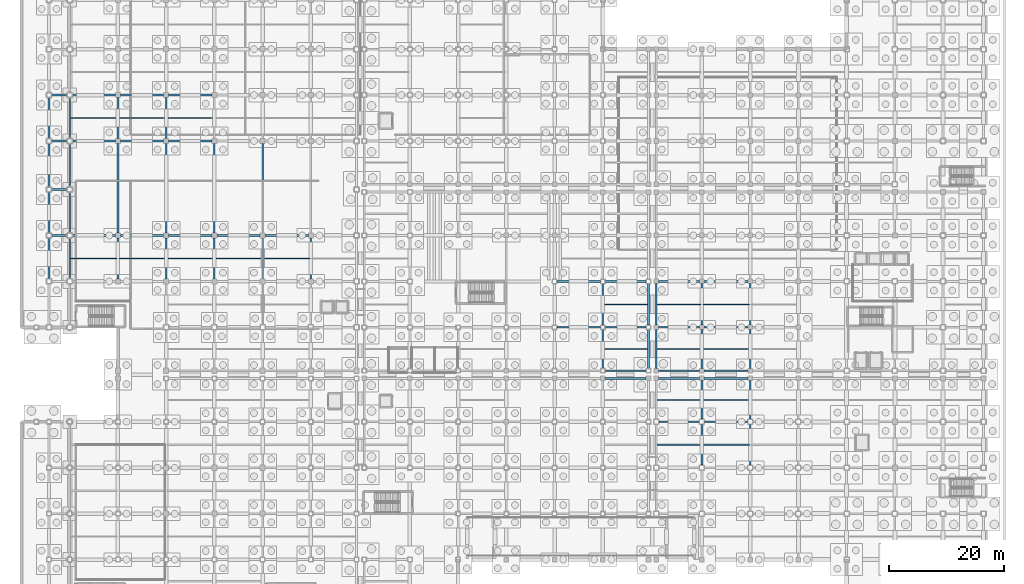
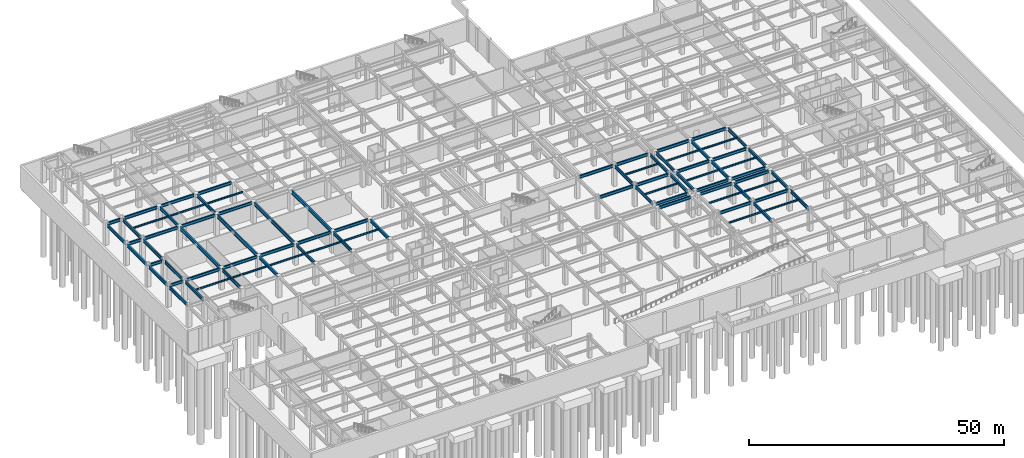
# One storey, part 24 of 55: 82 beams.
"""IFC4 building model written with IfcOpenShell, lengths in metres."""

from ifc_helpers import new_model, si_unit, direction, frame, origin, origin_2d, place, context, subcontext, project, spatial, i_section, extrude, material, material_profile, profile_set, type_object, element, save


model = new_model("IFC4")

# Units and contexts
model_context = context("Model", 3, precision=1e-05, world=origin(), true_north=direction((0.0, 1.0)))
body_context = subcontext(model_context, "Body", "Model", "MODEL_VIEW")
ifc_project = project(units=[si_unit("LENGTHUNIT", "METRE"), si_unit("AREAUNIT", "SQUARE_METRE"), si_unit("VOLUMEUNIT", "CUBIC_METRE"), si_unit("PLANEANGLEUNIT", "RADIAN"), si_unit("MASSUNIT", "GRAM", prefix="KILO")], contexts=[model_context])

# Site, building, storey
site_placement = place(None, origin())
site = spatial("IfcSite", under=ifc_project, at=site_placement, CompositionType="ELEMENT")
building_placement = place(site_placement, origin())
building = spatial("IfcBuilding", under=site, at=building_placement, Name="Kazehara Bluff Congress Hotel", CompositionType="ELEMENT")
storey_placement = place(building_placement, frame((0.0, 0.0, -5.39990234375)))
storey = spatial("IfcBuildingStorey", under=building, at=storey_placement, Name="B1", CompositionType="ELEMENT", Elevation=-5.39990234375)

# Beams
ifc_material_1 = material(Name="Steel SN490B", Category="steel")
ifc_material_profile_1 = material_profile(ifc_material_1, i_section(OverallWidth=0.300048828125, OverallDepth=0.699951171875, WebThickness=0.012939453125, FlangeThickness=0.02392578125, FilletRadius=0.01806640625, at=origin_2d()))
ifc_profile_set_1 = profile_set([ifc_material_profile_1], Name="Steel SN490B")
beam_type_1 = type_object("IfcBeamType", Name="TP-G-04", PredefinedType="BEAM", material=ifc_profile_set_1)
beam_1_placement = place(storey_placement, frame((111.0, 32.0, 4.77001953125), z_axis=(1.0, 0.0, 0.0), x_axis=(0.0, 1.0, 0.0)))
element("IfcBeam", 1, at=beam_1_placement, inside=storey, type_object=beam_type_1, Name="B1 girder G-04 339", PredefinedType="BEAM", context=body_context, shape_type="SweptSolid", body=[
    extrude(i_section(OverallWidth=0.300048828125, OverallDepth=0.699951171875, WebThickness=0.012939453125, FlangeThickness=0.02392578125, FilletRadius=0.01806640625, at=origin_2d()), origin(), (0.0, 0.0, 1.0), 7.050048828125),
])
beam_2_placement = place(storey_placement, frame((118.949951171875, 32.0, 4.77001953125), z_axis=(1.0, 0.0, 0.0), x_axis=(0.0, 1.0, 0.0)))
element("IfcBeam", 2, at=beam_2_placement, inside=storey, type_object=beam_type_1, Name="B1 girder G-04 340", PredefinedType="BEAM", context=body_context, shape_type="SweptSolid", body=[
    extrude(i_section(OverallWidth=0.300048828125, OverallDepth=0.699951171875, WebThickness=0.012939453125, FlangeThickness=0.02392578125, FilletRadius=0.01806640625, at=origin_2d()), origin(), (0.0, 0.0, 1.0), 7.5),
])
for number, where, z_axis, x_axis, name in (
    (3, (101.64990234375, 39.550048828125, 4.77001953125), (1.0, 0.0, 0.0), (0.0, 1.0, 0.0), "B1 girder G-04 355"),
    (4, (110.949951171875, 39.550048828125, 4.77001953125), (1.0, 0.0, 0.0), (0.0, 1.0, 0.0), "B1 girder G-04 356"),
):
    element("IfcBeam", number, at=place(storey_placement, frame(where, z_axis=z_axis, x_axis=x_axis)), inside=storey, type_object=beam_type_1, Name=name, PredefinedType="BEAM", context=body_context, shape_type="SweptSolid", body=[
        extrude(i_section(OverallWidth=0.300048828125, OverallDepth=0.699951171875, WebThickness=0.012939453125, FlangeThickness=0.02392578125, FilletRadius=0.01806640625, at=origin_2d()), origin(), (0.0, 0.0, 1.0), 7.150146484375),
    ])
beam_3_placement = place(storey_placement, frame((118.89990234375, 39.550048828125, 4.77001953125), z_axis=(1.0, 0.0, 0.0), x_axis=(0.0, 1.0, 0.0)))
element("IfcBeam", 5, at=beam_3_placement, inside=storey, type_object=beam_type_1, Name="B1 girder G-04 357", PredefinedType="BEAM", context=body_context, shape_type="SweptSolid", body=[
    extrude(i_section(OverallWidth=0.300048828125, OverallDepth=0.699951171875, WebThickness=0.012939453125, FlangeThickness=0.02392578125, FilletRadius=0.01806640625, at=origin_2d()), origin(), (0.0, 0.0, 1.0), 7.60009765625),
])
for number, where, z_axis, x_axis, name in (
    (6, (101.64990234375, 40.89990234375, 4.77001953125), (1.0, 0.0, 0.0), (0.0, 1.0, 0.0), "B1 girder G-04 372"),
    (7, (110.949951171875, 40.89990234375, 4.77001953125), (1.0, 0.0, 0.0), (0.0, 1.0, 0.0), "B1 girder G-04 373"),
):
    element("IfcBeam", number, at=place(storey_placement, frame(where, z_axis=z_axis, x_axis=x_axis)), inside=storey, type_object=beam_type_1, Name=name, PredefinedType="BEAM", context=body_context, shape_type="SweptSolid", body=[
        extrude(i_section(OverallWidth=0.300048828125, OverallDepth=0.699951171875, WebThickness=0.012939453125, FlangeThickness=0.02392578125, FilletRadius=0.01806640625, at=origin_2d()), origin(), (0.0, 0.0, 1.0), 7.150146484375),
    ])
for number, where, z_axis, x_axis, name in (
    (8, (118.89990234375, 40.89990234375, 4.77001953125), (1.0, 0.0, 0.0), (0.0, 1.0, 0.0), "B1 girder G-04 374"),
    (9, (93.25, 48.449951171875, 4.77001953125), (1.0, 0.0, 0.0), (0.0, 1.0, 0.0), "B1 girder G-04 388"),
):
    element("IfcBeam", number, at=place(storey_placement, frame(where, z_axis=z_axis, x_axis=x_axis)), inside=storey, type_object=beam_type_1, Name=name, PredefinedType="BEAM", context=body_context, shape_type="SweptSolid", body=[
        extrude(i_section(OverallWidth=0.300048828125, OverallDepth=0.699951171875, WebThickness=0.012939453125, FlangeThickness=0.02392578125, FilletRadius=0.01806640625, at=origin_2d()), origin(), (0.0, 0.0, 1.0), 7.60009765625),
    ])
for number, where, z_axis, x_axis, name in (
    (10, (101.64990234375, 48.449951171875, 4.77001953125), (1.0, 0.0, 0.0), (0.0, 1.0, 0.0), "B1 girder G-04 389"),
    (11, (110.949951171875, 48.449951171875, 4.77001953125), (1.0, 0.0, 0.0), (0.0, 1.0, 0.0), "B1 girder G-04 390"),
):
    element("IfcBeam", number, at=place(storey_placement, frame(where, z_axis=z_axis, x_axis=x_axis)), inside=storey, type_object=beam_type_1, Name=name, PredefinedType="BEAM", context=body_context, shape_type="SweptSolid", body=[
        extrude(i_section(OverallWidth=0.300048828125, OverallDepth=0.699951171875, WebThickness=0.012939453125, FlangeThickness=0.02392578125, FilletRadius=0.01806640625, at=origin_2d()), origin(), (0.0, 0.0, 1.0), 7.150146484375),
    ])
for number, where, z_axis, x_axis, name in (
    (12, (118.89990234375, 48.449951171875, 4.77001953125), (1.0, 0.0, 0.0), (0.0, 1.0, 0.0), "B1 girder G-04 391"),
    (13, (93.25, 56.449951171875, 4.77001953125), (1.0, 0.0, 0.0), (0.0, 1.0, 0.0), "B1 girder G-04 404"),
):
    element("IfcBeam", number, at=place(storey_placement, frame(where, z_axis=z_axis, x_axis=x_axis)), inside=storey, type_object=beam_type_1, Name=name, PredefinedType="BEAM", context=body_context, shape_type="SweptSolid", body=[
        extrude(i_section(OverallWidth=0.300048828125, OverallDepth=0.699951171875, WebThickness=0.012939453125, FlangeThickness=0.02392578125, FilletRadius=0.01806640625, at=origin_2d()), origin(), (0.0, 0.0, 1.0), 7.60009765625),
    ])
for number, where, z_axis, x_axis, name in (
    (14, (101.64990234375, 56.449951171875, 4.77001953125), (1.0, 0.0, 0.0), (0.0, 1.0, 0.0), "B1 girder G-04 405"),
    (15, (110.949951171875, 56.449951171875, 4.77001953125), (1.0, 0.0, 0.0), (0.0, 1.0, 0.0), "B1 girder G-04 406"),
):
    element("IfcBeam", number, at=place(storey_placement, frame(where, z_axis=z_axis, x_axis=x_axis)), inside=storey, type_object=beam_type_1, Name=name, PredefinedType="BEAM", context=body_context, shape_type="SweptSolid", body=[
        extrude(i_section(OverallWidth=0.300048828125, OverallDepth=0.699951171875, WebThickness=0.012939453125, FlangeThickness=0.02392578125, FilletRadius=0.01806640625, at=origin_2d()), origin(), (0.0, 0.0, 1.0), 7.150146484375),
    ])
beam_4_placement = place(storey_placement, frame((118.89990234375, 56.449951171875, 4.77001953125), z_axis=(1.0, 0.0, 0.0), x_axis=(0.0, 1.0, 0.0)))
element("IfcBeam", 16, at=beam_4_placement, inside=storey, type_object=beam_type_1, Name="B1 girder G-04 407", PredefinedType="BEAM", context=body_context, shape_type="SweptSolid", body=[
    extrude(i_section(OverallWidth=0.300048828125, OverallDepth=0.699951171875, WebThickness=0.012939453125, FlangeThickness=0.02392578125, FilletRadius=0.01806640625, at=origin_2d()), origin(), (0.0, 0.0, 1.0), 7.60009765625),
])
beam_5_placement = place(storey_placement, frame((5.25, 64.449951171875, 4.77001953125), z_axis=(1.0, 0.0, 0.0), x_axis=(0.0, 1.0, 0.0)))
element("IfcBeam", 17, at=beam_5_placement, inside=storey, type_object=beam_type_1, Name="B1 girder G-04 413", PredefinedType="BEAM", context=body_context, shape_type="SweptSolid", body=[
    extrude(i_section(OverallWidth=0.300048828125, OverallDepth=0.699951171875, WebThickness=0.012939453125, FlangeThickness=0.02392578125, FilletRadius=0.01806640625, at=origin_2d()), origin(), (0.0, 0.0, 1.0), 2.699951171875),
])
for number, where, z_axis, x_axis, name in (
    (18, (8.85009765625, 64.449951171875, 4.77001953125), (1.0, 0.0, 0.0), (0.0, 1.0, 0.0), "B1 girder G-04 414"),
    (19, (17.25, 64.449951171875, 4.77001953125), (1.0, 0.0, 0.0), (0.0, 1.0, 0.0), "B1 girder G-04 415"),
    (20, (25.64990234375, 64.449951171875, 4.77001953125), (1.0, 0.0, 0.0), (0.0, 1.0, 0.0), "B1 girder G-04 416"),
    (21, (34.050048828125, 64.449951171875, 4.77001953125), (1.0, 0.0, 0.0), (0.0, 1.0, 0.0), "B1 girder G-04 417"),
    (22, (42.449951171875, 64.449951171875, 4.77001953125), (1.0, 0.0, 0.0), (0.0, 1.0, 0.0), "B1 girder G-04 418"),
):
    element("IfcBeam", number, at=place(storey_placement, frame(where, z_axis=z_axis, x_axis=x_axis)), inside=storey, type_object=beam_type_1, Name=name, PredefinedType="BEAM", context=body_context, shape_type="SweptSolid", body=[
        extrude(i_section(OverallWidth=0.300048828125, OverallDepth=0.699951171875, WebThickness=0.012939453125, FlangeThickness=0.02392578125, FilletRadius=0.01806640625, at=origin_2d()), origin(), (0.0, 0.0, 1.0), 7.5),
    ])
for number, where, z_axis, x_axis, name in (
    (23, (5.25, 72.449951171875, 4.77001953125), (1.0, 0.0, 0.0), (0.0, 1.0, 0.0), "B1 girder G-04 446"),
    (24, (5.25, 80.89990234375, 4.77001953125), (1.0, 0.0, 0.0), (0.0, 1.0, 0.0), "B1 girder G-04 458"),
):
    element("IfcBeam", number, at=place(storey_placement, frame(where, z_axis=z_axis, x_axis=x_axis)), inside=storey, type_object=beam_type_1, Name=name, PredefinedType="BEAM", context=body_context, shape_type="SweptSolid", body=[
        extrude(i_section(OverallWidth=0.300048828125, OverallDepth=0.699951171875, WebThickness=0.012939453125, FlangeThickness=0.02392578125, FilletRadius=0.01806640625, at=origin_2d()), origin(), (0.0, 0.0, 1.0), 2.699951171875),
    ])
for number, where, z_axis, x_axis, name in (
    (25, (8.85009765625, 80.89990234375, 4.77001953125), (1.0, 0.0, 0.0), (0.0, 1.0, 0.0), "B1 girder G-04 459"),
    (26, (17.25, 80.89990234375, 4.77001953125), (1.0, 0.0, 0.0), (0.0, 1.0, 0.0), "B1 girder G-04 460"),
    (27, (25.64990234375, 80.89990234375, 4.77001953125), (1.0, 0.0, 0.0), (0.0, 1.0, 0.0), "B1 girder G-04 461"),
):
    element("IfcBeam", number, at=place(storey_placement, frame(where, z_axis=z_axis, x_axis=x_axis)), inside=storey, type_object=beam_type_1, Name=name, PredefinedType="BEAM", context=body_context, shape_type="SweptSolid", body=[
        extrude(i_section(OverallWidth=0.300048828125, OverallDepth=0.699951171875, WebThickness=0.012939453125, FlangeThickness=0.02392578125, FilletRadius=0.01806640625, at=origin_2d()), origin(), (0.0, 0.0, 1.0), 7.5),
    ])
beam_6_placement = place(storey_placement, frame((5.25, 88.89990234375, 4.77001953125), z_axis=(1.0, 0.0, 0.0), x_axis=(0.0, 1.0, 0.0)))
element("IfcBeam", 28, at=beam_6_placement, inside=storey, type_object=beam_type_1, Name="B1 girder G-04 478", PredefinedType="BEAM", context=body_context, shape_type="SweptSolid", body=[
    extrude(i_section(OverallWidth=0.300048828125, OverallDepth=0.699951171875, WebThickness=0.012939453125, FlangeThickness=0.02392578125, FilletRadius=0.01806640625, at=origin_2d()), origin(), (0.0, 0.0, 1.0), 2.699951171875),
])
for number, where, z_axis, x_axis, name in (
    (29, (8.85009765625, 88.89990234375, 4.77001953125), (1.0, 0.0, 0.0), (0.0, 1.0, 0.0), "B1 girder G-04 479"),
    (30, (17.25, 88.89990234375, 4.77001953125), (1.0, 0.0, 0.0), (0.0, 1.0, 0.0), "B1 girder G-04 480"),
    (31, (25.64990234375, 88.89990234375, 4.77001953125), (1.0, 0.0, 0.0), (0.0, 1.0, 0.0), "B1 girder G-04 481"),
):
    element("IfcBeam", number, at=place(storey_placement, frame(where, z_axis=z_axis, x_axis=x_axis)), inside=storey, type_object=beam_type_1, Name=name, PredefinedType="BEAM", context=body_context, shape_type="SweptSolid", body=[
        extrude(i_section(OverallWidth=0.300048828125, OverallDepth=0.699951171875, WebThickness=0.012939453125, FlangeThickness=0.02392578125, FilletRadius=0.01806640625, at=origin_2d()), origin(), (0.0, 0.0, 1.0), 7.5),
    ])
ifc_material_2 = material(Name="Steel SN490B", Category="steel")
ifc_material_profile_2 = material_profile(ifc_material_2, i_section(OverallWidth=0.300048828125, OverallDepth=0.75, WebThickness=0.012939453125, FlangeThickness=0.02392578125, FilletRadius=0.01806640625, at=origin_2d()))
ifc_profile_set_2 = profile_set([ifc_material_profile_2], Name="Steel SN490B")
beam_type_2 = type_object("IfcBeamType", Name="TP-G-05", PredefinedType="BEAM", material=ifc_profile_set_2)
for number, where, z_axis, x_axis, name in (
    (32, (4.800048828125, 56.89990234375, 4.744873046875), (0.0, 1.0, 0.0), (-1.0, 0.0, 0.0), "B1 girder G-05 6"),
    (33, (4.800048828125, 64.89990234375, 4.744873046875), (0.0, 1.0, 0.0), (-1.0, 0.0, 0.0), "B1 girder G-05 7"),
):
    element("IfcBeam", number, at=place(storey_placement, frame(where, z_axis=z_axis, x_axis=x_axis)), inside=storey, type_object=beam_type_2, Name=name, PredefinedType="BEAM", context=body_context, shape_type="SweptSolid", body=[
        extrude(i_section(OverallWidth=0.300048828125, OverallDepth=0.75, WebThickness=0.012939453125, FlangeThickness=0.02392578125, FilletRadius=0.01806640625, at=origin_2d()), origin(), (0.0, 0.0, 1.0), 7.10009765625),
    ])
beam_7_placement = place(storey_placement, frame((4.800048828125, 72.89990234375, 4.744873046875), z_axis=(0.0, 1.0, 0.0), x_axis=(-1.0, 0.0, 0.0)))
element("IfcBeam", 34, at=beam_7_placement, inside=storey, type_object=beam_type_2, Name="B1 girder G-05 8", PredefinedType="BEAM", context=body_context, shape_type="SweptSolid", body=[
    extrude(i_section(OverallWidth=0.300048828125, OverallDepth=0.75, WebThickness=0.012939453125, FlangeThickness=0.02392578125, FilletRadius=0.01806640625, at=origin_2d()), origin(), (0.0, 0.0, 1.0), 7.550048828125),
])
beam_8_placement = place(storey_placement, frame((4.800048828125, 81.35009765625, 4.744873046875), z_axis=(0.0, 1.0, 0.0), x_axis=(-1.0, 0.0, 0.0)))
element("IfcBeam", 35, at=beam_8_placement, inside=storey, type_object=beam_type_2, Name="B1 girder G-05 9", PredefinedType="BEAM", context=body_context, shape_type="SweptSolid", body=[
    extrude(i_section(OverallWidth=0.300048828125, OverallDepth=0.75, WebThickness=0.012939453125, FlangeThickness=0.02392578125, FilletRadius=0.01806640625, at=origin_2d()), origin(), (0.0, 0.0, 1.0), 7.099853515625),
])
for number, where, z_axis, x_axis, name in (
    (36, (8.39990234375, 56.89990234375, 4.744873046875), (0.0, 1.0, 0.0), (-1.0, 0.0, 0.0), "B1 girder G-05 19"),
    (37, (8.39990234375, 64.89990234375, 4.744873046875), (0.0, 1.0, 0.0), (-1.0, 0.0, 0.0), "B1 girder G-05 20"),
):
    element("IfcBeam", number, at=place(storey_placement, frame(where, z_axis=z_axis, x_axis=x_axis)), inside=storey, type_object=beam_type_2, Name=name, PredefinedType="BEAM", context=body_context, shape_type="SweptSolid", body=[
        extrude(i_section(OverallWidth=0.300048828125, OverallDepth=0.75, WebThickness=0.012939453125, FlangeThickness=0.02392578125, FilletRadius=0.01806640625, at=origin_2d()), origin(), (0.0, 0.0, 1.0), 7.10009765625),
    ])
beam_9_placement = place(storey_placement, frame((8.39990234375, 72.89990234375, 4.744873046875), z_axis=(0.0, 1.0, 0.0), x_axis=(-1.0, 0.0, 0.0)))
element("IfcBeam", 38, at=beam_9_placement, inside=storey, type_object=beam_type_2, Name="B1 girder G-05 21", PredefinedType="BEAM", context=body_context, shape_type="SweptSolid", body=[
    extrude(i_section(OverallWidth=0.300048828125, OverallDepth=0.75, WebThickness=0.012939453125, FlangeThickness=0.02392578125, FilletRadius=0.01806640625, at=origin_2d()), origin(), (0.0, 0.0, 1.0), 7.550048828125),
])
beam_10_placement = place(storey_placement, frame((8.39990234375, 81.35009765625, 4.744873046875), z_axis=(0.0, 1.0, 0.0), x_axis=(-1.0, 0.0, 0.0)))
element("IfcBeam", 39, at=beam_10_placement, inside=storey, type_object=beam_type_2, Name="B1 girder G-05 22", PredefinedType="BEAM", context=body_context, shape_type="SweptSolid", body=[
    extrude(i_section(OverallWidth=0.300048828125, OverallDepth=0.75, WebThickness=0.012939453125, FlangeThickness=0.02392578125, FilletRadius=0.01806640625, at=origin_2d()), origin(), (0.0, 0.0, 1.0), 7.099853515625),
])
beam_11_placement = place(storey_placement, frame((16.800048828125, 56.89990234375, 4.744873046875), z_axis=(0.0, 1.0, 0.0), x_axis=(-1.0, 0.0, 0.0)))
element("IfcBeam", 40, at=beam_11_placement, inside=storey, type_object=beam_type_2, Name="B1 girder G-05 30", PredefinedType="BEAM", context=body_context, shape_type="SweptSolid", body=[
    extrude(i_section(OverallWidth=0.300048828125, OverallDepth=0.75, WebThickness=0.012939453125, FlangeThickness=0.02392578125, FilletRadius=0.01806640625, at=origin_2d()), origin(), (0.0, 0.0, 1.0), 7.10009765625),
])
beam_12_placement = place(storey_placement, frame((16.800048828125, 81.35009765625, 4.744873046875), z_axis=(0.0, 1.0, 0.0), x_axis=(-1.0, 0.0, 0.0)))
element("IfcBeam", 41, at=beam_12_placement, inside=storey, type_object=beam_type_2, Name="B1 girder G-05 32", PredefinedType="BEAM", context=body_context, shape_type="SweptSolid", body=[
    extrude(i_section(OverallWidth=0.300048828125, OverallDepth=0.75, WebThickness=0.012939453125, FlangeThickness=0.02392578125, FilletRadius=0.01806640625, at=origin_2d()), origin(), (0.0, 0.0, 1.0), 7.099853515625),
])
beam_13_placement = place(storey_placement, frame((25.199951171875, 56.89990234375, 4.744873046875), z_axis=(0.0, 1.0, 0.0), x_axis=(-1.0, 0.0, 0.0)))
element("IfcBeam", 42, at=beam_13_placement, inside=storey, type_object=beam_type_2, Name="B1 girder G-05 42", PredefinedType="BEAM", context=body_context, shape_type="SweptSolid", body=[
    extrude(i_section(OverallWidth=0.300048828125, OverallDepth=0.75, WebThickness=0.012939453125, FlangeThickness=0.02392578125, FilletRadius=0.01806640625, at=origin_2d()), origin(), (0.0, 0.0, 1.0), 7.10009765625),
])
beam_14_placement = place(storey_placement, frame((25.199951171875, 81.35009765625, 4.744873046875), z_axis=(0.0, 1.0, 0.0), x_axis=(-1.0, 0.0, 0.0)))
element("IfcBeam", 43, at=beam_14_placement, inside=storey, type_object=beam_type_2, Name="B1 girder G-05 44", PredefinedType="BEAM", context=body_context, shape_type="SweptSolid", body=[
    extrude(i_section(OverallWidth=0.300048828125, OverallDepth=0.75, WebThickness=0.012939453125, FlangeThickness=0.02392578125, FilletRadius=0.01806640625, at=origin_2d()), origin(), (0.0, 0.0, 1.0), 7.099853515625),
])
for number, where, z_axis, x_axis, name in (
    (44, (33.60009765625, 56.89990234375, 4.744873046875), (0.0, 1.0, 0.0), (-1.0, 0.0, 0.0), "B1 girder G-05 56"),
    (45, (42.0, 56.89990234375, 4.744873046875), (0.0, 1.0, 0.0), (-1.0, 0.0, 0.0), "B1 girder G-05 70"),
    (46, (50.39990234375, 56.89990234375, 4.744873046875), (0.0, 1.0, 0.0), (-1.0, 0.0, 0.0), "B1 girder G-05 83"),
):
    element("IfcBeam", number, at=place(storey_placement, frame(where, z_axis=z_axis, x_axis=x_axis)), inside=storey, type_object=beam_type_2, Name=name, PredefinedType="BEAM", context=body_context, shape_type="SweptSolid", body=[
        extrude(i_section(OverallWidth=0.300048828125, OverallDepth=0.75, WebThickness=0.012939453125, FlangeThickness=0.02392578125, FilletRadius=0.01806640625, at=origin_2d()), origin(), (0.0, 0.0, 1.0), 7.10009765625),
    ])
beam_15_placement = place(storey_placement, frame((101.25, 41.300048828125, 4.744873046875), z_axis=(0.0, 1.0, 0.0), x_axis=(-1.0, 0.0, 0.0)))
element("IfcBeam", 47, at=beam_15_placement, inside=storey, type_object=beam_type_2, Name="B1 girder G-05 165", PredefinedType="BEAM", context=body_context, shape_type="SweptSolid", body=[
    extrude(i_section(OverallWidth=0.300048828125, OverallDepth=0.75, WebThickness=0.012939453125, FlangeThickness=0.02392578125, FilletRadius=0.01806640625, at=origin_2d()), origin(), (0.0, 0.0, 1.0), 6.75),
])
beam_16_placement = place(storey_placement, frame((101.25, 48.85009765625, 4.744873046875), z_axis=(0.0, 1.0, 0.0), x_axis=(-1.0, 0.0, 0.0)))
element("IfcBeam", 48, at=beam_16_placement, inside=storey, type_object=beam_type_2, Name="B1 girder G-05 166", PredefinedType="BEAM", context=body_context, shape_type="SweptSolid", body=[
    extrude(i_section(OverallWidth=0.300048828125, OverallDepth=0.75, WebThickness=0.012939453125, FlangeThickness=0.02392578125, FilletRadius=0.01806640625, at=origin_2d()), origin(), (0.0, 0.0, 1.0), 7.199951171875),
])
beam_17_placement = place(storey_placement, frame((109.199951171875, 41.300048828125, 4.744873046875), z_axis=(0.0, 1.0, 0.0), x_axis=(-1.0, 0.0, 0.0)))
element("IfcBeam", 49, at=beam_17_placement, inside=storey, type_object=beam_type_2, Name="B1 girder G-05 175", PredefinedType="BEAM", context=body_context, shape_type="SweptSolid", body=[
    extrude(i_section(OverallWidth=0.300048828125, OverallDepth=0.75, WebThickness=0.012939453125, FlangeThickness=0.02392578125, FilletRadius=0.01806640625, at=origin_2d()), origin(), (0.0, 0.0, 1.0), 6.75),
])
beam_18_placement = place(storey_placement, frame((109.199951171875, 48.85009765625, 4.744873046875), z_axis=(0.0, 1.0, 0.0), x_axis=(-1.0, 0.0, 0.0)))
element("IfcBeam", 50, at=beam_18_placement, inside=storey, type_object=beam_type_2, Name="B1 girder G-05 176", PredefinedType="BEAM", context=body_context, shape_type="SweptSolid", body=[
    extrude(i_section(OverallWidth=0.300048828125, OverallDepth=0.75, WebThickness=0.012939453125, FlangeThickness=0.02392578125, FilletRadius=0.01806640625, at=origin_2d()), origin(), (0.0, 0.0, 1.0), 7.199951171875),
])
beam_19_placement = place(storey_placement, frame((110.550048828125, 41.300048828125, 4.744873046875), z_axis=(0.0, 1.0, 0.0), x_axis=(-1.0, 0.0, 0.0)))
element("IfcBeam", 51, at=beam_19_placement, inside=storey, type_object=beam_type_2, Name="B1 girder G-05 185", PredefinedType="BEAM", context=body_context, shape_type="SweptSolid", body=[
    extrude(i_section(OverallWidth=0.300048828125, OverallDepth=0.75, WebThickness=0.012939453125, FlangeThickness=0.02392578125, FilletRadius=0.01806640625, at=origin_2d()), origin(), (0.0, 0.0, 1.0), 6.75),
])
beam_20_placement = place(storey_placement, frame((110.550048828125, 48.85009765625, 4.744873046875), z_axis=(0.0, 1.0, 0.0), x_axis=(-1.0, 0.0, 0.0)))
element("IfcBeam", 52, at=beam_20_placement, inside=storey, type_object=beam_type_2, Name="B1 girder G-05 186", PredefinedType="BEAM", context=body_context, shape_type="SweptSolid", body=[
    extrude(i_section(OverallWidth=0.300048828125, OverallDepth=0.75, WebThickness=0.012939453125, FlangeThickness=0.02392578125, FilletRadius=0.01806640625, at=origin_2d()), origin(), (0.0, 0.0, 1.0), 7.199951171875),
])
beam_21_placement = place(storey_placement, frame((118.5, 24.449951171875, 4.744873046875), z_axis=(0.0, 1.0, 0.0), x_axis=(-1.0, 0.0, 0.0)))
element("IfcBeam", 53, at=beam_21_placement, inside=storey, type_object=beam_type_2, Name="B1 girder G-05 194", PredefinedType="BEAM", context=body_context, shape_type="SweptSolid", body=[
    extrude(i_section(OverallWidth=0.300048828125, OverallDepth=0.75, WebThickness=0.012939453125, FlangeThickness=0.02392578125, FilletRadius=0.01806640625, at=origin_2d()), origin(), (0.0, 0.0, 1.0), 7.10009765625),
])
beam_22_placement = place(storey_placement, frame((118.5, 32.449951171875, 4.744873046875), z_axis=(0.0, 1.0, 0.0), x_axis=(-1.0, 0.0, 0.0)))
element("IfcBeam", 54, at=beam_22_placement, inside=storey, type_object=beam_type_2, Name="B1 girder G-05 195", PredefinedType="BEAM", context=body_context, shape_type="SweptSolid", body=[
    extrude(i_section(OverallWidth=0.300048828125, OverallDepth=0.75, WebThickness=0.012939453125, FlangeThickness=0.02392578125, FilletRadius=0.01806640625, at=origin_2d()), origin(), (0.0, 0.0, 1.0), 6.699951171875),
])
beam_23_placement = place(storey_placement, frame((118.5, 41.300048828125, 4.744873046875), z_axis=(0.0, 1.0, 0.0), x_axis=(-1.0, 0.0, 0.0)))
element("IfcBeam", 55, at=beam_23_placement, inside=storey, type_object=beam_type_2, Name="B1 girder G-05 196", PredefinedType="BEAM", context=body_context, shape_type="SweptSolid", body=[
    extrude(i_section(OverallWidth=0.300048828125, OverallDepth=0.75, WebThickness=0.012939453125, FlangeThickness=0.02392578125, FilletRadius=0.01806640625, at=origin_2d()), origin(), (0.0, 0.0, 1.0), 6.75),
])
beam_24_placement = place(storey_placement, frame((118.5, 48.85009765625, 4.744873046875), z_axis=(0.0, 1.0, 0.0), x_axis=(-1.0, 0.0, 0.0)))
element("IfcBeam", 56, at=beam_24_placement, inside=storey, type_object=beam_type_2, Name="B1 girder G-05 197", PredefinedType="BEAM", context=body_context, shape_type="SweptSolid", body=[
    extrude(i_section(OverallWidth=0.300048828125, OverallDepth=0.75, WebThickness=0.012939453125, FlangeThickness=0.02392578125, FilletRadius=0.01806640625, at=origin_2d()), origin(), (0.0, 0.0, 1.0), 7.199951171875),
])
beam_25_placement = place(storey_placement, frame((126.89990234375, 24.449951171875, 4.744873046875), z_axis=(0.0, 1.0, 0.0), x_axis=(-1.0, 0.0, 0.0)))
element("IfcBeam", 57, at=beam_25_placement, inside=storey, type_object=beam_type_2, Name="B1 girder G-05 205", PredefinedType="BEAM", context=body_context, shape_type="SweptSolid", body=[
    extrude(i_section(OverallWidth=0.300048828125, OverallDepth=0.75, WebThickness=0.012939453125, FlangeThickness=0.02392578125, FilletRadius=0.01806640625, at=origin_2d()), origin(), (0.0, 0.0, 1.0), 7.10009765625),
])
beam_26_placement = place(storey_placement, frame((126.89990234375, 32.449951171875, 4.744873046875), z_axis=(0.0, 1.0, 0.0), x_axis=(-1.0, 0.0, 0.0)))
element("IfcBeam", 58, at=beam_26_placement, inside=storey, type_object=beam_type_2, Name="B1 girder G-05 206", PredefinedType="BEAM", context=body_context, shape_type="SweptSolid", body=[
    extrude(i_section(OverallWidth=0.300048828125, OverallDepth=0.75, WebThickness=0.012939453125, FlangeThickness=0.02392578125, FilletRadius=0.01806640625, at=origin_2d()), origin(), (0.0, 0.0, 1.0), 6.699951171875),
])
beam_27_placement = place(storey_placement, frame((126.89990234375, 41.300048828125, 4.744873046875), z_axis=(0.0, 1.0, 0.0), x_axis=(-1.0, 0.0, 0.0)))
element("IfcBeam", 59, at=beam_27_placement, inside=storey, type_object=beam_type_2, Name="B1 girder G-05 207", PredefinedType="BEAM", context=body_context, shape_type="SweptSolid", body=[
    extrude(i_section(OverallWidth=0.300048828125, OverallDepth=0.75, WebThickness=0.012939453125, FlangeThickness=0.02392578125, FilletRadius=0.01806640625, at=origin_2d()), origin(), (0.0, 0.0, 1.0), 6.75),
])
beam_28_placement = place(storey_placement, frame((126.89990234375, 48.85009765625, 4.744873046875), z_axis=(0.0, 1.0, 0.0), x_axis=(-1.0, 0.0, 0.0)))
element("IfcBeam", 60, at=beam_28_placement, inside=storey, type_object=beam_type_2, Name="B1 girder G-05 208", PredefinedType="BEAM", context=body_context, shape_type="SweptSolid", body=[
    extrude(i_section(OverallWidth=0.300048828125, OverallDepth=0.75, WebThickness=0.012939453125, FlangeThickness=0.02392578125, FilletRadius=0.01806640625, at=origin_2d()), origin(), (0.0, 0.0, 1.0), 7.199951171875),
])
ifc_material_3 = material(Name="Steel SN490B", Category="steel")
ifc_material_profile_3 = material_profile(ifc_material_3, i_section(OverallWidth=0.300048828125, OverallDepth=0.89990234375, WebThickness=0.01611328125, FlangeThickness=0.028076171875, FilletRadius=0.01806640625, at=origin_2d()))
ifc_profile_set_3 = profile_set([ifc_material_profile_3], Name="Steel SN490B")
beam_type_3 = type_object("IfcBeamType", Name="TP-G-08", PredefinedType="BEAM", material=ifc_profile_set_3)
for number, where, z_axis, x_axis, name in (
    (61, (16.800048828125, 64.89990234375, 4.669921875), (0.0, 1.0, 0.0), (-1.0, 0.0, 0.0), "B1 girder G-08 31"),
    (62, (25.199951171875, 64.89990234375, 4.669921875), (0.0, 1.0, 0.0), (-1.0, 0.0, 0.0), "B1 girder G-08 43"),
    (63, (33.60009765625, 64.89990234375, 4.669921875), (0.0, 1.0, 0.0), (-1.0, 0.0, 0.0), "B1 girder G-08 57"),
    (64, (42.0, 64.89990234375, 4.669921875), (0.0, 1.0, 0.0), (-1.0, 0.0, 0.0), "B1 girder G-08 71"),
):
    element("IfcBeam", number, at=place(storey_placement, frame(where, z_axis=z_axis, x_axis=x_axis)), inside=storey, type_object=beam_type_3, Name=name, PredefinedType="BEAM", context=body_context, shape_type="SweptSolid", body=[
        extrude(i_section(OverallWidth=0.300048828125, OverallDepth=0.89990234375, WebThickness=0.01611328125, FlangeThickness=0.028076171875, FilletRadius=0.01806640625, at=origin_2d()), origin(), (0.0, 0.0, 1.0), 15.550048828125),
    ])
ifc_material_4 = material(Name="Steel SN400B", Category="steel")
ifc_material_profile_4 = material_profile(ifc_material_4, i_section(OverallWidth=0.199951171875, OverallDepth=0.39990234375, WebThickness=0.008056640625, FlangeThickness=0.012939453125, FilletRadius=0.012939453125, at=origin_2d()))
ifc_profile_set_4 = profile_set([ifc_material_profile_4], Name="Steel SN400B")
beam_type_4 = type_object("IfcBeamType", Name="TP-J-03", PredefinedType="JOIST", material=ifc_profile_set_4)
for number, where, z_axis, x_axis, name in (
    (65, (8.550048828125, 60.449951171875, 4.919921875), (1.0, 0.0, 0.0), (0.0, 1.0, 0.0), "B1 secondary joist J-03 4"),
    (66, (8.550048828125, 84.89990234375, 4.919921875), (1.0, 0.0, 0.0), (0.0, 1.0, 0.0), "B1 secondary joist J-03 5"),
):
    element("IfcBeam", number, at=place(storey_placement, frame(where, z_axis=z_axis, x_axis=x_axis)), inside=storey, type_object=beam_type_4, Name=name, PredefinedType="JOIST", context=body_context, shape_type="SweptSolid", body=[
        extrude(i_section(OverallWidth=0.199951171875, OverallDepth=0.39990234375, WebThickness=0.008056640625, FlangeThickness=0.012939453125, FilletRadius=0.012939453125, at=origin_2d()), origin(), (0.0, 0.0, 1.0), 8.099853515625),
    ])
for number, where, z_axis, x_axis, name in (
    (67, (16.949951171875, 60.449951171875, 4.919921875), (1.0, 0.0, 0.0), (0.0, 1.0, 0.0), "B1 secondary joist J-03 11"),
    (68, (16.949951171875, 84.89990234375, 4.919921875), (1.0, 0.0, 0.0), (0.0, 1.0, 0.0), "B1 secondary joist J-03 12"),
):
    element("IfcBeam", number, at=place(storey_placement, frame(where, z_axis=z_axis, x_axis=x_axis)), inside=storey, type_object=beam_type_4, Name=name, PredefinedType="JOIST", context=body_context, shape_type="SweptSolid", body=[
        extrude(i_section(OverallWidth=0.199951171875, OverallDepth=0.39990234375, WebThickness=0.008056640625, FlangeThickness=0.012939453125, FilletRadius=0.012939453125, at=origin_2d()), origin(), (0.0, 0.0, 1.0), 8.10009765625),
    ])
for number, where, z_axis, x_axis, name in (
    (69, (25.35009765625, 60.449951171875, 4.919921875), (1.0, 0.0, 0.0), (0.0, 1.0, 0.0), "B1 secondary joist J-03 22"),
    (70, (25.35009765625, 84.89990234375, 4.919921875), (1.0, 0.0, 0.0), (0.0, 1.0, 0.0), "B1 secondary joist J-03 23"),
):
    element("IfcBeam", number, at=place(storey_placement, frame(where, z_axis=z_axis, x_axis=x_axis)), inside=storey, type_object=beam_type_4, Name=name, PredefinedType="JOIST", context=body_context, shape_type="SweptSolid", body=[
        extrude(i_section(OverallWidth=0.199951171875, OverallDepth=0.39990234375, WebThickness=0.008056640625, FlangeThickness=0.012939453125, FilletRadius=0.012939453125, at=origin_2d()), origin(), (0.0, 0.0, 1.0), 8.099853515625),
    ])
for number, where, z_axis, x_axis, name in (
    (71, (33.75, 60.449951171875, 4.919921875), (1.0, 0.0, 0.0), (0.0, 1.0, 0.0), "B1 secondary joist J-03 35"),
    (72, (42.14990234375, 60.449951171875, 4.919921875), (1.0, 0.0, 0.0), (0.0, 1.0, 0.0), "B1 secondary joist J-03 47"),
):
    element("IfcBeam", number, at=place(storey_placement, frame(where, z_axis=z_axis, x_axis=x_axis)), inside=storey, type_object=beam_type_4, Name=name, PredefinedType="JOIST", context=body_context, shape_type="SweptSolid", body=[
        extrude(i_section(OverallWidth=0.199951171875, OverallDepth=0.39990234375, WebThickness=0.008056640625, FlangeThickness=0.012939453125, FilletRadius=0.012939453125, at=origin_2d()), origin(), (0.0, 0.0, 1.0), 8.10009765625),
    ])
for number, where, z_axis, x_axis, name in (
    (73, (101.39990234375, 44.675048828125, 4.919921875), (1.0, 0.0, 0.0), (0.0, 1.0, 0.0), "B1 secondary joist J-03 85"),
    (74, (101.39990234375, 52.449951171875, 4.919921875), (1.0, 0.0, 0.0), (0.0, 1.0, 0.0), "B1 secondary joist J-03 86"),
    (75, (110.699951171875, 28.0, 4.919921875), (1.0, 0.0, 0.0), (0.0, 1.0, 0.0), "B1 secondary joist J-03 93"),
    (76, (110.699951171875, 35.77490234375, 4.919921875), (1.0, 0.0, 0.0), (0.0, 1.0, 0.0), "B1 secondary joist J-03 94"),
    (77, (110.699951171875, 44.675048828125, 4.919921875), (1.0, 0.0, 0.0), (0.0, 1.0, 0.0), "B1 secondary joist J-03 95"),
    (78, (110.699951171875, 52.449951171875, 4.919921875), (1.0, 0.0, 0.0), (0.0, 1.0, 0.0), "B1 secondary joist J-03 96"),
):
    element("IfcBeam", number, at=place(storey_placement, frame(where, z_axis=z_axis, x_axis=x_axis)), inside=storey, type_object=beam_type_4, Name=name, PredefinedType="JOIST", context=body_context, shape_type="SweptSolid", body=[
        extrude(i_section(OverallWidth=0.199951171875, OverallDepth=0.39990234375, WebThickness=0.008056640625, FlangeThickness=0.012939453125, FilletRadius=0.012939453125, at=origin_2d()), origin(), (0.0, 0.0, 1.0), 7.650146484375),
    ])
for number, where, z_axis, x_axis, name in (
    (79, (118.64990234375, 28.0, 4.919921875), (1.0, 0.0, 0.0), (0.0, 1.0, 0.0), "B1 secondary joist J-03 104"),
    (80, (118.64990234375, 35.77490234375, 4.919921875), (1.0, 0.0, 0.0), (0.0, 1.0, 0.0), "B1 secondary joist J-03 105"),
    (81, (118.64990234375, 44.675048828125, 4.919921875), (1.0, 0.0, 0.0), (0.0, 1.0, 0.0), "B1 secondary joist J-03 106"),
    (82, (118.64990234375, 52.449951171875, 4.919921875), (1.0, 0.0, 0.0), (0.0, 1.0, 0.0), "B1 secondary joist J-03 107"),
):
    element("IfcBeam", number, at=place(storey_placement, frame(where, z_axis=z_axis, x_axis=x_axis)), inside=storey, type_object=beam_type_4, Name=name, PredefinedType="JOIST", context=body_context, shape_type="SweptSolid", body=[
        extrude(i_section(OverallWidth=0.199951171875, OverallDepth=0.39990234375, WebThickness=0.008056640625, FlangeThickness=0.012939453125, FilletRadius=0.012939453125, at=origin_2d()), origin(), (0.0, 0.0, 1.0), 8.10009765625),
    ])

save(model, "model.ifc")
